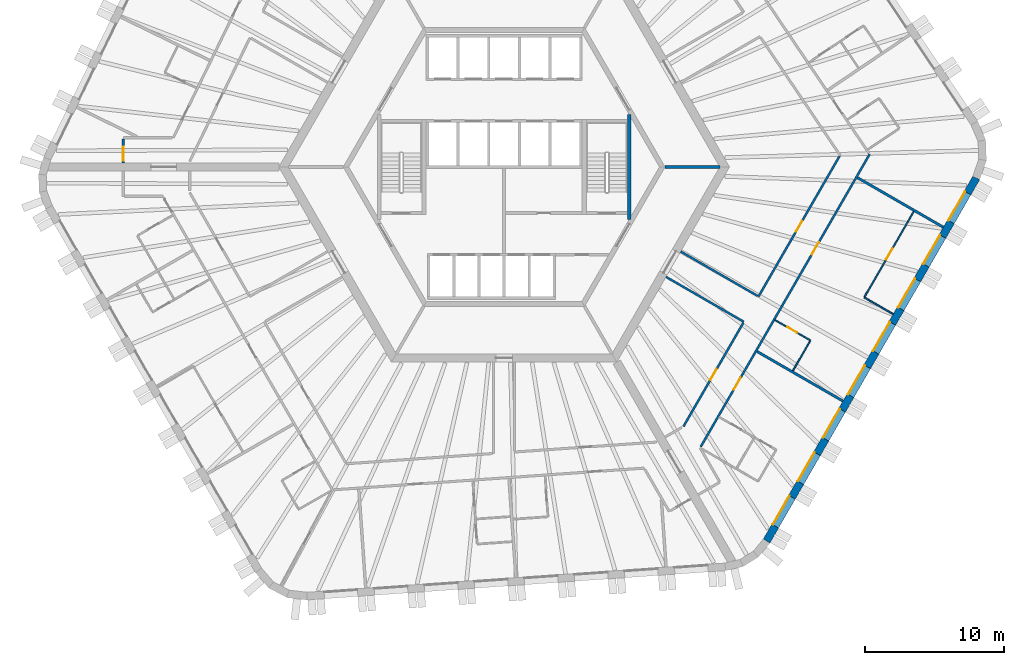
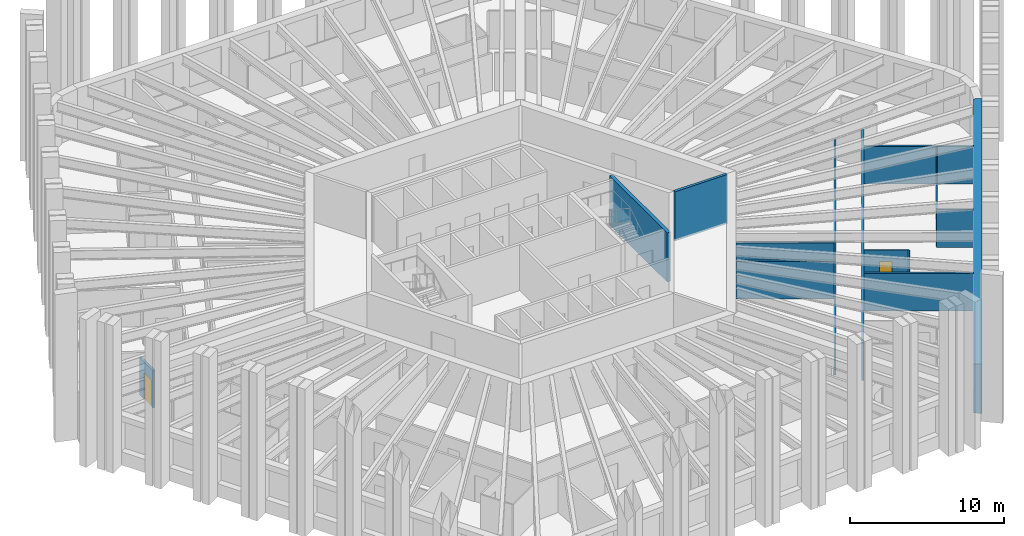
# One storey, part 6 of 12: 15 walls, 8 windows, 7 doors, 15 openings.
"""IFC4 building model written with IfcOpenShell, lengths in metres."""

from ifc_helpers import new_model, si_unit, direction, frame, frame_2d, origin, place, context, subcontext, project, spatial, polyline, rectangle, outline, extrude, material, layer, layer_set, type_object, element, fill, save


model = new_model("IFC4")

# Units and contexts
model_context = context("Model", 3, precision=1e-05, world=origin(), true_north=direction((0.0, 1.0)))
body_context = subcontext(model_context, "Body", "Model", "MODEL_VIEW")
ifc_project = project(units=[si_unit("LENGTHUNIT", "METRE"), si_unit("AREAUNIT", "SQUARE_METRE"), si_unit("VOLUMEUNIT", "CUBIC_METRE"), si_unit("PLANEANGLEUNIT", "RADIAN"), si_unit("MASSUNIT", "GRAM", prefix="KILO")], contexts=[model_context])

# Site, building, storey
site_placement = place(None, origin())
site = spatial("IfcSite", under=ifc_project, at=site_placement, CompositionType="ELEMENT")
building_placement = place(site_placement, origin())
building = spatial("IfcBuilding", under=site, at=building_placement, Name="Tarnside Tower", CompositionType="ELEMENT")
storey_placement = place(building_placement, frame((0.0, 0.0, 99.89990234375)))
storey = spatial("IfcBuildingStorey", under=building, at=storey_placement, Name="L22", CompositionType="ELEMENT", Elevation=99.89990234375)

# Wall, opening, door
ifc_material_1 = material(Name="Gypsum board partition on steel studs", Category="steel")
ifc_layer_1 = layer(ifc_material_1, 0.10009765625)
ifc_layer_set_1 = layer_set([ifc_layer_1], Name="Bathroom wall 100")
wall_type_1 = type_object("IfcWallType", Name="Bathroom wall 100", PredefinedType="PARTITIONING", material=ifc_layer_set_1)
wall_1_placement = place(storey_placement, frame((19.439453125, -10.979736328125, 0.0), z_axis=(0.0, 0.0, 1.0), x_axis=(0.866046596414, -0.499963291492, 0.0)))
wall_1 = element("IfcWall", 1, at=wall_1_placement, inside=storey, type_object=wall_type_1, Name="Bathroom wall 07139", PredefinedType="PARTITIONING", context=body_context, shape_type="SweptSolid", body=[
    extrude(rectangle(XDim=2.925048828125, YDim=0.10009765625, at=frame_2d((1.46240234375, 0.0))), origin(), (0.0, 0.0, 1.0), 2.98779296875),
])
opening_1_placement = place(wall_1_placement, frame((1.02490234375, 0.0, 0.0)))
opening_1 = element("IfcOpeningElement", 2, at=opening_1_placement, cuts=wall_1, Name="Opening D-B1", PredefinedType="OPENING", context=body_context, shape_type="SweptSolid", body=[
    extrude(rectangle(XDim=0.800048828125, YDim=2.10009765625, at=frame_2d((0.39990234375, 1.050048828125))), frame((0.0, 0.06005859375, 0.0), z_axis=(0.0, -1.0, 0.0), x_axis=(1.0, 0.0, 0.0)), (0.0, 0.0, 1.0), 0.1201171875),
])
ifc_material_2 = material(Name="Timber door leaf", Category="wood")
door_type_1 = type_object("IfcDoorType", Name="Bathroom door 800", OperationType="NOTDEFINED", PredefinedType="DOOR", material=ifc_material_2)
door_1_placement = place(opening_1_placement, origin())
door_1 = element("IfcDoor", 3, at=door_1_placement, inside=storey, type_object=door_type_1, Name="Bathroom door 07033", OperationType="SINGLE_SWING_RIGHT", OverallHeight=2.10009765625, OverallWidth=0.800048828125, PredefinedType="DOOR", context=body_context, shape_type="SweptSolid", body=[
    extrude(rectangle(XDim=0.800048828125, YDim=2.10009765625, at=frame_2d((0.39990234375, 1.050048828125))), frame((0.0, 0.02490234375, 0.0), z_axis=(0.0, -1.0, 0.0), x_axis=(1.0, 0.0, 0.0)), (0.0, 0.0, 1.0), 0.050048828125),
])
fill(opening_1, door_1)

# Wall
wall_2_placement = place(storey_placement, frame((21.94775390625, -12.485595703125, 0.0), z_axis=(0.0, 0.0, 1.0), x_axis=(-0.500003092839, -0.866023618125, 0.0)))
element("IfcWall", 4, at=wall_2_placement, inside=storey, type_object=wall_type_1, Name="Bathroom wall 07140", PredefinedType="PARTITIONING", context=body_context, shape_type="SweptSolid", body=[
    extrude(rectangle(XDim=2.4599609375, YDim=0.10009765625, at=frame_2d((1.22998046875, 0.0))), origin(), (0.0, 0.0, 1.0), 2.98779296875),
])

# Wall, opening, door
ifc_layer_2 = layer(ifc_material_1, 0.14990234375)
ifc_layer_set_2 = layer_set([ifc_layer_2], Name="Corridor wall 150 EI 60")
wall_type_2 = type_object("IfcWallType", Name="Corridor wall 150 EI 60", PredefinedType="PARTITIONING", material=ifc_layer_set_2)
wall_3_placement = place(storey_placement, frame((-27.3203125, 2.02490234375, 0.0), z_axis=(0.0, 0.0, 1.0), x_axis=(0.0, -1.0, 0.0)))
wall_3 = element("IfcWall", 5, at=wall_3_placement, inside=storey, type_object=wall_type_2, Name="Corridor wall 07017", PredefinedType="PARTITIONING", context=body_context, shape_type="SweptSolid", body=[
    extrude(rectangle(XDim=1.724853515625, YDim=0.14990234375, at=frame_2d((0.8623046875, 0.0))), origin(), (0.0, 0.0, 1.0), 2.98779296875),
])
opening_2_placement = place(wall_3_placement, frame((0.574951171875, 0.0, 0.0)))
opening_2 = element("IfcOpeningElement", 6, at=opening_2_placement, cuts=wall_3, Name="Opening D-E1", PredefinedType="OPENING", context=body_context, shape_type="SweptSolid", body=[
    extrude(rectangle(XDim=1.0, YDim=2.10009765625, at=frame_2d((0.5, 1.050048828125))), frame((0.0, 0.0849609375, 0.0), z_axis=(0.0, -1.0, 0.0), x_axis=(1.0, 0.0, 0.0)), (0.0, 0.0, 1.0), 0.169921875),
])
door_type_2 = type_object("IfcDoorType", Name="Unit entrance door 1000 FD30S", OperationType="NOTDEFINED", PredefinedType="DOOR", material=ifc_material_2)
door_2_placement = place(opening_2_placement, origin())
door_2 = element("IfcDoor", 7, at=door_2_placement, inside=storey, type_object=door_type_2, Name="Unit door 07013", OperationType="SINGLE_SWING_LEFT", OverallHeight=2.10009765625, OverallWidth=1.0, PredefinedType="DOOR", context=body_context, shape_type="SweptSolid", body=[
    extrude(rectangle(XDim=1.0, YDim=2.10009765625, at=frame_2d((0.5, 1.050048828125))), frame((0.0, 0.02490234375, 0.0), z_axis=(0.0, -1.0, 0.0), x_axis=(1.0, 0.0, 0.0)), (0.0, 0.0, 1.0), 0.050048828125),
])
fill(opening_2, door_2)

# Wall, openings, doors
wall_4_placement = place(storey_placement, frame((14.101806640625, -20.074951171875, 0.0), z_axis=(0.0, 0.0, 1.0), x_axis=(0.499996816197, 0.866027241946, 0.0)))
wall_4 = element("IfcWall", 8, at=wall_4_placement, inside=storey, type_object=wall_type_2, Name="Corridor wall 07054", PredefinedType="PARTITIONING", context=body_context, shape_type="SweptSolid", body=[
    extrude(rectangle(XDim=24.238037109375, YDim=0.14990234375, at=frame_2d((12.119140625, 0.0))), origin(), (0.0, 0.0, 1.0), 2.98779296875),
])
opening_3_placement = place(wall_4_placement, frame((4.7294921875, 0.0, 0.0)))
opening_3 = element("IfcOpeningElement", 9, at=opening_3_placement, cuts=wall_4, Name="Opening D-E1", PredefinedType="OPENING", context=body_context, shape_type="SweptSolid", body=[
    extrude(rectangle(XDim=1.0, YDim=2.10009765625, at=frame_2d((0.5, 1.050048828125))), frame((0.0, 0.0849609375, 0.0), z_axis=(0.0, -1.0, 0.0), x_axis=(1.0, 0.0, 0.0)), (0.0, 0.0, 1.0), 0.169921875),
])
opening_4_placement = place(wall_4_placement, frame((15.945556640625, 0.0, 0.0)))
opening_4 = element("IfcOpeningElement", 10, at=opening_4_placement, cuts=wall_4, Name="Opening D-E1", PredefinedType="OPENING", context=body_context, shape_type="SweptSolid", body=[
    extrude(rectangle(XDim=1.0, YDim=2.10009765625, at=frame_2d((0.5, 1.050048828125))), frame((0.0, 0.0849609375, 0.0), z_axis=(0.0, -1.0, 0.0), x_axis=(1.0, 0.0, 0.0)), (0.0, 0.0, 1.0), 0.169921875),
])
door_3_placement = place(opening_3_placement, origin())
door_3 = element("IfcDoor", 11, at=door_3_placement, inside=storey, type_object=door_type_2, Name="Unit door 07029", OperationType="SINGLE_SWING_LEFT", OverallHeight=2.10009765625, OverallWidth=1.0, PredefinedType="DOOR", context=body_context, shape_type="SweptSolid", body=[
    extrude(rectangle(XDim=1.0, YDim=2.10009765625, at=frame_2d((0.5, 1.050048828125))), frame((0.0, 0.02490234375, 0.0), z_axis=(0.0, -1.0, 0.0), x_axis=(1.0, 0.0, 0.0)), (0.0, 0.0, 1.0), 0.050048828125),
])
fill(opening_3, door_3)
door_4_placement = place(opening_4_placement, origin())
door_4 = element("IfcDoor", 12, at=door_4_placement, inside=storey, type_object=door_type_2, Name="Unit door 07032", OperationType="SINGLE_SWING_LEFT", OverallHeight=2.10009765625, OverallWidth=1.0, PredefinedType="DOOR", context=body_context, shape_type="SweptSolid", body=[
    extrude(rectangle(XDim=1.0, YDim=2.10009765625, at=frame_2d((0.5, 1.050048828125))), frame((0.0, 0.02490234375, 0.0), z_axis=(0.0, -1.0, 0.0), x_axis=(1.0, 0.0, 0.0)), (0.0, 0.0, 1.0), 0.050048828125),
])
fill(opening_4, door_4)

# Wall, opening, door
wall_5_placement = place(storey_placement, frame((24.057861328125, 0.769287109375, 0.0), z_axis=(0.0, 0.0, 1.0), x_axis=(-0.499995346943, -0.866028090212, 0.0)))
wall_5 = element("IfcWall", 13, at=wall_5_placement, inside=storey, type_object=wall_type_2, Name="Corridor wall 07069", PredefinedType="PARTITIONING", context=body_context, shape_type="SweptSolid", body=[
    extrude(rectangle(XDim=11.6162109375, YDim=0.14990234375, at=frame_2d((5.80810546875, 0.0))), origin(), (0.0, 0.0, 1.0), 2.98779296875),
])
opening_5_placement = place(wall_5_placement, frame((5.358154296875, 0.0, 0.0)))
opening_5 = element("IfcOpeningElement", 14, at=opening_5_placement, cuts=wall_5, Name="Opening D-S1", PredefinedType="OPENING", context=body_context, shape_type="SweptSolid", body=[
    extrude(rectangle(XDim=0.89990234375, YDim=2.10009765625, at=frame_2d((0.449951171875, 1.050048828125))), frame((0.0, 0.0849609375, 0.0), z_axis=(0.0, -1.0, 0.0), x_axis=(1.0, 0.0, 0.0)), (0.0, 0.0, 1.0), 0.169921875),
])
door_type_3 = type_object("IfcDoorType", Name="Service room door 900 FD30S", OperationType="NOTDEFINED", PredefinedType="DOOR", material=ifc_material_2)
door_5_placement = place(opening_5_placement, origin())
door_5 = element("IfcDoor", 15, at=door_5_placement, inside=storey, type_object=door_type_3, Name="Service door 07048", OperationType="SINGLE_SWING_LEFT", OverallHeight=2.10009765625, OverallWidth=0.89990234375, PredefinedType="DOOR", context=body_context, shape_type="SweptSolid", body=[
    extrude(rectangle(XDim=0.89990234375, YDim=2.10009765625, at=frame_2d((0.449951171875, 1.050048828125))), frame((0.0, 0.02490234375, 0.0), z_axis=(0.0, -1.0, 0.0), x_axis=(1.0, 0.0, 0.0)), (0.0, 0.0, 1.0), 0.050048828125),
])
fill(opening_5, door_5)

# Walls
wall_6_placement = place(storey_placement, frame((18.184814453125, -9.253173828125, 0.0), z_axis=(0.0, 0.0, 1.0), x_axis=(-0.866028703517, 0.499994284652, 0.0)))
element("IfcWall", 16, at=wall_6_placement, inside=storey, type_object=wall_type_2, Name="Corridor wall 07070", PredefinedType="PARTITIONING", context=body_context, shape_type="SweptSolid", body=[
    extrude(rectangle(XDim=6.375, YDim=0.14990234375, at=frame_2d((3.1875, 0.0))), origin(), (0.0, 0.0, 1.0), 2.98779296875),
])
wall_7_placement = place(storey_placement, frame((11.61376953125, -7.88427734375, 0.0), z_axis=(0.0, 0.0, 1.0), x_axis=(0.866021702275, -0.500006411147, 0.0)))
element("IfcWall", 17, at=wall_7_placement, inside=storey, type_object=wall_type_2, Name="Corridor wall 07071", PredefinedType="PARTITIONING", context=body_context, shape_type="SweptSolid", body=[
    extrude(rectangle(XDim=6.4501953125, YDim=0.14990234375, at=frame_2d((3.22509765625, 0.0))), origin(), (0.0, 0.0, 1.0), 2.98779296875),
])

# Wall, opening, door
wall_8_placement = place(storey_placement, frame((17.162109375, -11.17431640625, 0.0), z_axis=(0.0, 0.0, 1.0), x_axis=(-0.499997214665, -0.866027011893, 0.0)))
wall_8 = element("IfcWall", 18, at=wall_8_placement, inside=storey, type_object=wall_type_2, Name="Corridor wall 07072", PredefinedType="PARTITIONING", context=body_context, shape_type="SweptSolid", body=[
    extrude(rectangle(XDim=8.5888671875, YDim=0.14990234375, at=frame_2d((4.29443359375, 0.0))), origin(), (0.0, 0.0, 1.0), 2.98779296875),
])
opening_6_placement = place(wall_8_placement, frame((3.844482421875, 0.0, 0.0)))
opening_6 = element("IfcOpeningElement", 19, at=opening_6_placement, cuts=wall_8, Name="Opening D-S1", PredefinedType="OPENING", context=body_context, shape_type="SweptSolid", body=[
    extrude(rectangle(XDim=0.89990234375, YDim=2.10009765625, at=frame_2d((0.449951171875, 1.050048828125))), frame((0.0, 0.0849609375, 0.0), z_axis=(0.0, -1.0, 0.0), x_axis=(1.0, 0.0, 0.0)), (0.0, 0.0, 1.0), 0.169921875),
])
door_6_placement = place(opening_6_placement, origin())
door_6 = element("IfcDoor", 20, at=door_6_placement, inside=storey, type_object=door_type_3, Name="Service door 07049", OperationType="SINGLE_SWING_LEFT", OverallHeight=2.10009765625, OverallWidth=0.89990234375, PredefinedType="DOOR", context=body_context, shape_type="SweptSolid", body=[
    extrude(rectangle(XDim=0.89990234375, YDim=2.10009765625, at=frame_2d((0.449951171875, 1.050048828125))), frame((0.0, 0.02490234375, 0.0), z_axis=(0.0, -1.0, 0.0), x_axis=(1.0, 0.0, 0.0)), (0.0, 0.0, 1.0), 0.050048828125),
])
fill(opening_6, door_6)

# Walls
ifc_layer_3 = layer(ifc_material_1, 0.179931640625)
ifc_layer_set_3 = layer_set([ifc_layer_3], Name="Demising wall 180 EI 60")
wall_type_3 = type_object("IfcWallType", Name="Demising wall 180 EI 60", PredefinedType="PARTITIONING", material=ifc_layer_set_3)
for number, where, z_axis, x_axis, name in (
    (21, (24.31005859375, -16.7939453125, 0.0), (0.0, 0.0, 1.0), (-0.866024672353, 0.500001266874, 0.0), "Demising wall 07136"),
    (22, (31.510009765625, -4.3232421875, 0.0), (0.0, 0.0, 1.0), (-0.866009834831, 0.500026965249, 0.0), "Demising wall 07143"),
):
    element("IfcWall", number, at=place(storey_placement, frame(where, z_axis=z_axis, x_axis=x_axis)), inside=storey, type_object=wall_type_3, Name=name, PredefinedType="PARTITIONING", context=body_context, shape_type="SweptSolid", body=[
        extrude(rectangle(XDim=7.125, YDim=0.179931640625, at=frame_2d((3.5625, 0.0))), origin(), (0.0, 0.0, 1.0), 2.98779296875),
    ])
ifc_material_3 = material(Name="Concrete C40/50", Category="concrete")
ifc_layer_4 = layer(ifc_material_3, 0.199951171875)
ifc_layer_set_4 = layer_set([ifc_layer_4], Name="Lift shaft wall 200 C40/50")
wall_type_4 = type_object("IfcWallType", Name="Lift shaft wall 200 C40/50", PredefinedType="SHEAR", material=ifc_layer_set_4)
wall_9_placement = place(storey_placement, frame((11.547119140625, 0.0, -0.14990234375), z_axis=(0.0, 0.0, 1.0), x_axis=(1.0, 0.0, 0.0)))
element("IfcWall", 23, at=wall_9_placement, inside=storey, type_object=wall_type_4, Name="L22 core partition AR0", PredefinedType="SHEAR", context=body_context, shape_type="SweptSolid", body=[
    extrude(rectangle(XDim=3.92578125, YDim=0.199951171875, at=frame_2d((1.962890625, 0.0))), origin(), (0.0, 0.0, 1.0), 3.89990234375),
])
ifc_layer_5 = layer(ifc_material_1, 0.10009765625)
ifc_layer_set_5 = layer_set([ifc_layer_5], Name="Partition 100")
wall_type_5 = type_object("IfcWallType", Name="Partition 100", PredefinedType="PARTITIONING", material=ifc_layer_set_5)
wall_10_placement = place(storey_placement, frame((27.909912109375, -10.55859375, 0.0), z_axis=(0.0, 0.0, 1.0), x_axis=(-0.865980596518, 0.500077600433, 0.0)))
element("IfcWall", 24, at=wall_10_placement, inside=storey, type_object=wall_type_5, Name="Partition wall 07141", PredefinedType="PARTITIONING", context=body_context, shape_type="SweptSolid", body=[
    extrude(rectangle(XDim=2.39990234375, YDim=0.10009765625, at=frame_2d((1.199951171875, 0.0))), origin(), (0.0, 0.0, 1.0), 2.98779296875),
])

# Wall, opening, door
wall_11_placement = place(storey_placement, frame((25.8564453125, -9.315185546875, 0.0), z_axis=(0.0, 0.0, 1.0), x_axis=(0.500010820671, 0.866019156377, 0.0)))
wall_11 = element("IfcWall", 25, at=wall_11_placement, inside=storey, type_object=wall_type_5, Name="Partition wall 07142", PredefinedType="PARTITIONING", context=body_context, shape_type="SweptSolid", body=[
    extrude(rectangle(XDim=7.059814453125, YDim=0.10009765625, at=frame_2d((3.52978515625, 0.0))), origin(), (0.0, 0.0, 1.0), 2.98779296875),
])
opening_7_placement = place(wall_11_placement, frame((3.10009765625, 0.0, 0.0)))
opening_7 = element("IfcOpeningElement", 26, at=opening_7_placement, cuts=wall_11, Name="Opening D-I1", PredefinedType="OPENING", context=body_context, shape_type="SweptSolid", body=[
    extrude(rectangle(XDim=0.89990234375, YDim=2.10009765625, at=frame_2d((0.449951171875, 1.050048828125))), frame((0.0, 0.06005859375, 0.0), z_axis=(0.0, -1.0, 0.0), x_axis=(1.0, 0.0, 0.0)), (0.0, 0.0, 1.0), 0.1201171875),
])
door_type_4 = type_object("IfcDoorType", Name="Internal door 900", OperationType="NOTDEFINED", PredefinedType="DOOR", material=ifc_material_2)
door_7_placement = place(opening_7_placement, origin())
door_7 = element("IfcDoor", 27, at=door_7_placement, inside=storey, type_object=door_type_4, Name="Internal door 07034", OperationType="SINGLE_SWING_RIGHT", OverallHeight=2.10009765625, OverallWidth=0.89990234375, PredefinedType="DOOR", context=body_context, shape_type="SweptSolid", body=[
    extrude(rectangle(XDim=0.89990234375, YDim=2.10009765625, at=frame_2d((0.449951171875, 1.050048828125))), frame((0.0, 0.02490234375, 0.0), z_axis=(0.0, -1.0, 0.0), x_axis=(1.0, 0.0, 0.0)), (0.0, 0.0, 1.0), 0.050048828125),
])
fill(opening_7, door_7)

# Wall
ifc_layer_6 = layer(ifc_material_3, 0.25)
ifc_layer_set_6 = layer_set([ifc_layer_6], Name="Stair enclosure wall 250 C40/50")
wall_type_6 = type_object("IfcWallType", Name="Stair enclosure wall 250 C40/50", PredefinedType="SHEAR", material=ifc_layer_set_6)
wall_12_placement = place(storey_placement, frame((8.97509765625, -3.7548828125, -0.25), z_axis=(0.0, 0.0, 1.0), x_axis=(0.0, 1.0, 0.0)))
element("IfcWall", 28, at=wall_12_placement, inside=storey, type_object=wall_type_6, Name="L22 stair 1 enclosure wall outer", PredefinedType="SHEAR", context=body_context, shape_type="SweptSolid", body=[
    extrude(rectangle(XDim=7.509765625, YDim=0.25, at=frame_2d((3.7548828125, 0.0))), origin(), (0.0, 0.0, 1.0), 3.900146484375),
])

# Wall, openings, windows
ifc_material_4 = material(Name="Facing brick", Category="masonry")
ifc_layer_7 = layer(ifc_material_4, 0.10205078125)
ifc_material_5 = material(Name="Concrete C60/75 precast", Category="concrete")
ifc_layer_8 = layer(ifc_material_5, 0.347900390625)
ifc_material_6 = material(Name="Mineral wool insulation")
ifc_layer_9 = layer(ifc_material_6, 0.10009765625)
ifc_layer_set_7 = layer_set([ifc_layer_7, ifc_layer_8, ifc_layer_9], Name="Tube wall 550 brick faced")
wall_type_7 = type_object("IfcWallType", Name="Tube wall 550 brick faced", PredefinedType="SOLIDWALL", material=ifc_layer_set_7)
wall_13_placement = place(storey_placement, frame((18.830322265625, -26.834716796875, -0.14990234375), z_axis=(0.0, 0.0, 1.0), x_axis=(0.500003800416, 0.866023209602, 0.0)))
wall_13 = element("IfcWall", 29, at=wall_13_placement, inside=storey, type_object=wall_type_7, Name="Tube wall L22 F5 flush 16", PredefinedType="SOLIDWALL", context=body_context, shape_type="SweptSolid", body=[
    extrude(outline(polyline([(-0.0224609375, -0.27490234375), (30.0966796875, -0.27490234375), (30.04541015625, 0.27490234375), (0.0224609375, 0.27490234375), (-0.0224609375, -0.27490234375)])), origin(), (0.0, 0.0, 1.0), 3.89990234375),
])
opening_8_placement = place(wall_13_placement, frame((1.235595703125, 0.0, 1.050048828125)))
opening_8 = element("IfcOpeningElement", 30, at=opening_8_placement, cuts=wall_13, Name="Opening WH", PredefinedType="OPENING", context=body_context, shape_type="SweptSolid", body=[
    extrude(rectangle(XDim=2.39990234375, YDim=2.39990234375, at=frame_2d((1.199951171875, 1.199951171875))), frame((0.0, 0.28515625, 0.0), z_axis=(0.0, -1.0, 0.0), x_axis=(1.0, 0.0, 0.0)), (0.0, 0.0, 1.0), 0.570068359375),
])
opening_9_placement = place(wall_13_placement, frame((4.83544921875, 0.0, 1.050048828125)))
opening_9 = element("IfcOpeningElement", 31, at=opening_9_placement, cuts=wall_13, Name="Opening WH", PredefinedType="OPENING", context=body_context, shape_type="SweptSolid", body=[
    extrude(rectangle(XDim=2.39990234375, YDim=2.39990234375, at=frame_2d((1.199951171875, 1.199951171875))), frame((0.0, 0.28515625, 0.0), z_axis=(0.0, -1.0, 0.0), x_axis=(1.0, 0.0, 0.0)), (0.0, 0.0, 1.0), 0.570068359375),
])
opening_10_placement = place(wall_13_placement, frame((8.435546875, 0.0, 1.050048828125)))
opening_10 = element("IfcOpeningElement", 32, at=opening_10_placement, cuts=wall_13, Name="Opening WH", PredefinedType="OPENING", context=body_context, shape_type="SweptSolid", body=[
    extrude(rectangle(XDim=2.39990234375, YDim=2.39990234375, at=frame_2d((1.199951171875, 1.199951171875))), frame((0.0, 0.28515625, 0.0), z_axis=(0.0, -1.0, 0.0), x_axis=(1.0, 0.0, 0.0)), (0.0, 0.0, 1.0), 0.570068359375),
])
opening_11_placement = place(wall_13_placement, frame((12.035400390625, 0.0, 1.050048828125)))
opening_11 = element("IfcOpeningElement", 33, at=opening_11_placement, cuts=wall_13, Name="Opening WH", PredefinedType="OPENING", context=body_context, shape_type="SweptSolid", body=[
    extrude(rectangle(XDim=2.39990234375, YDim=2.39990234375, at=frame_2d((1.199951171875, 1.199951171875))), frame((0.0, 0.28515625, 0.0), z_axis=(0.0, -1.0, 0.0), x_axis=(1.0, 0.0, 0.0)), (0.0, 0.0, 1.0), 0.570068359375),
])
opening_12_placement = place(wall_13_placement, frame((15.635498046875, 0.0, 1.050048828125)))
opening_12 = element("IfcOpeningElement", 34, at=opening_12_placement, cuts=wall_13, Name="Opening WH", PredefinedType="OPENING", context=body_context, shape_type="SweptSolid", body=[
    extrude(rectangle(XDim=2.39990234375, YDim=2.39990234375, at=frame_2d((1.199951171875, 1.199951171875))), frame((0.0, 0.28515625, 0.0), z_axis=(0.0, -1.0, 0.0), x_axis=(1.0, 0.0, 0.0)), (0.0, 0.0, 1.0), 0.570068359375),
])
opening_13_placement = place(wall_13_placement, frame((19.235595703125, 0.0, 1.050048828125)))
opening_13 = element("IfcOpeningElement", 35, at=opening_13_placement, cuts=wall_13, Name="Opening WH", PredefinedType="OPENING", context=body_context, shape_type="SweptSolid", body=[
    extrude(rectangle(XDim=2.39990234375, YDim=2.39990234375, at=frame_2d((1.199951171875, 1.199951171875))), frame((0.0, 0.28515625, 0.0), z_axis=(0.0, -1.0, 0.0), x_axis=(1.0, 0.0, 0.0)), (0.0, 0.0, 1.0), 0.570068359375),
])
opening_14_placement = place(wall_13_placement, frame((22.83544921875, 0.0, 1.050048828125)))
opening_14 = element("IfcOpeningElement", 36, at=opening_14_placement, cuts=wall_13, Name="Opening WH", PredefinedType="OPENING", context=body_context, shape_type="SweptSolid", body=[
    extrude(rectangle(XDim=2.39990234375, YDim=2.39990234375, at=frame_2d((1.199951171875, 1.199951171875))), frame((0.0, 0.28515625, 0.0), z_axis=(0.0, -1.0, 0.0), x_axis=(1.0, 0.0, 0.0)), (0.0, 0.0, 1.0), 0.570068359375),
])
opening_15_placement = place(wall_13_placement, frame((26.435546875, 0.0, 1.050048828125)))
opening_15 = element("IfcOpeningElement", 37, at=opening_15_placement, cuts=wall_13, Name="Opening WH", PredefinedType="OPENING", context=body_context, shape_type="SweptSolid", body=[
    extrude(rectangle(XDim=2.39990234375, YDim=2.39990234375, at=frame_2d((1.199951171875, 1.199951171875))), frame((0.0, 0.28515625, 0.0), z_axis=(0.0, -1.0, 0.0), x_axis=(1.0, 0.0, 0.0)), (0.0, 0.0, 1.0), 0.570068359375),
])
ifc_material_7 = material(Name="Aluminium-framed double glazing", Category="aluminium")
window_type = type_object("IfcWindowType", Name="Hotel window 2400 x 2400", PartitioningType="DOUBLE_PANEL_VERTICAL", PredefinedType="WINDOW", material=ifc_material_7)
window_1_placement = place(opening_8_placement, frame((0.0, 0.205078125, 0.0)))
window_1 = element("IfcWindow", 38, at=window_1_placement, inside=storey, type_object=window_type, Name="E.WN.L22.F5.00", OverallHeight=2.39990234375, OverallWidth=2.39990234375, PartitioningType="DOUBLE_PANEL_VERTICAL", PredefinedType="WINDOW", context=body_context, shape_type="SweptSolid", body=[
    extrude(rectangle(XDim=2.39990234375, YDim=2.39990234375, at=frame_2d((1.199951171875, 1.199951171875))), frame((0.0, 0.030029296875, 0.0), z_axis=(0.0, -1.0, 0.0), x_axis=(1.0, 0.0, 0.0)), (0.0, 0.0, 1.0), 0.06005859375),
])
fill(opening_8, window_1)
window_2_placement = place(opening_9_placement, frame((0.0, 0.205078125, 0.0)))
window_2 = element("IfcWindow", 39, at=window_2_placement, inside=storey, type_object=window_type, Name="E.WN.L22.F5.01", OverallHeight=2.39990234375, OverallWidth=2.39990234375, PartitioningType="DOUBLE_PANEL_VERTICAL", PredefinedType="WINDOW", context=body_context, shape_type="SweptSolid", body=[
    extrude(rectangle(XDim=2.39990234375, YDim=2.39990234375, at=frame_2d((1.199951171875, 1.199951171875))), frame((0.0, 0.030029296875, 0.0), z_axis=(0.0, -1.0, 0.0), x_axis=(1.0, 0.0, 0.0)), (0.0, 0.0, 1.0), 0.06005859375),
])
fill(opening_9, window_2)
window_3_placement = place(opening_10_placement, frame((0.0, 0.205078125, 0.0)))
window_3 = element("IfcWindow", 40, at=window_3_placement, inside=storey, type_object=window_type, Name="E.WN.L22.F5.02", OverallHeight=2.39990234375, OverallWidth=2.39990234375, PartitioningType="DOUBLE_PANEL_VERTICAL", PredefinedType="WINDOW", context=body_context, shape_type="SweptSolid", body=[
    extrude(rectangle(XDim=2.39990234375, YDim=2.39990234375, at=frame_2d((1.199951171875, 1.199951171875))), frame((0.0, 0.030029296875, 0.0), z_axis=(0.0, -1.0, 0.0), x_axis=(1.0, 0.0, 0.0)), (0.0, 0.0, 1.0), 0.06005859375),
])
fill(opening_10, window_3)
window_4_placement = place(opening_11_placement, frame((0.0, 0.205078125, 0.0)))
window_4 = element("IfcWindow", 41, at=window_4_placement, inside=storey, type_object=window_type, Name="E.WN.L22.F5.03", OverallHeight=2.39990234375, OverallWidth=2.39990234375, PartitioningType="DOUBLE_PANEL_VERTICAL", PredefinedType="WINDOW", context=body_context, shape_type="SweptSolid", body=[
    extrude(rectangle(XDim=2.39990234375, YDim=2.39990234375, at=frame_2d((1.199951171875, 1.199951171875))), frame((0.0, 0.030029296875, 0.0), z_axis=(0.0, -1.0, 0.0), x_axis=(1.0, 0.0, 0.0)), (0.0, 0.0, 1.0), 0.06005859375),
])
fill(opening_11, window_4)
window_5_placement = place(opening_12_placement, frame((0.0, 0.205078125, 0.0)))
window_5 = element("IfcWindow", 42, at=window_5_placement, inside=storey, type_object=window_type, Name="E.WN.L22.F5.04", OverallHeight=2.39990234375, OverallWidth=2.39990234375, PartitioningType="DOUBLE_PANEL_VERTICAL", PredefinedType="WINDOW", context=body_context, shape_type="SweptSolid", body=[
    extrude(rectangle(XDim=2.39990234375, YDim=2.39990234375, at=frame_2d((1.199951171875, 1.199951171875))), frame((0.0, 0.030029296875, 0.0), z_axis=(0.0, -1.0, 0.0), x_axis=(1.0, 0.0, 0.0)), (0.0, 0.0, 1.0), 0.06005859375),
])
fill(opening_12, window_5)
window_6_placement = place(opening_13_placement, frame((0.0, 0.205078125, 0.0)))
window_6 = element("IfcWindow", 43, at=window_6_placement, inside=storey, type_object=window_type, Name="E.WN.L22.F5.05", OverallHeight=2.39990234375, OverallWidth=2.39990234375, PartitioningType="DOUBLE_PANEL_VERTICAL", PredefinedType="WINDOW", context=body_context, shape_type="SweptSolid", body=[
    extrude(rectangle(XDim=2.39990234375, YDim=2.39990234375, at=frame_2d((1.199951171875, 1.199951171875))), frame((0.0, 0.030029296875, 0.0), z_axis=(0.0, -1.0, 0.0), x_axis=(1.0, 0.0, 0.0)), (0.0, 0.0, 1.0), 0.06005859375),
])
fill(opening_13, window_6)
window_7_placement = place(opening_14_placement, frame((0.0, 0.205078125, 0.0)))
window_7 = element("IfcWindow", 44, at=window_7_placement, inside=storey, type_object=window_type, Name="E.WN.L22.F5.06", OverallHeight=2.39990234375, OverallWidth=2.39990234375, PartitioningType="DOUBLE_PANEL_VERTICAL", PredefinedType="WINDOW", context=body_context, shape_type="SweptSolid", body=[
    extrude(rectangle(XDim=2.39990234375, YDim=2.39990234375, at=frame_2d((1.199951171875, 1.199951171875))), frame((0.0, 0.030029296875, 0.0), z_axis=(0.0, -1.0, 0.0), x_axis=(1.0, 0.0, 0.0)), (0.0, 0.0, 1.0), 0.06005859375),
])
fill(opening_14, window_7)
window_8_placement = place(opening_15_placement, frame((0.0, 0.205078125, 0.0)))
window_8 = element("IfcWindow", 45, at=window_8_placement, inside=storey, type_object=window_type, Name="E.WN.L22.F5.07", OverallHeight=2.39990234375, OverallWidth=2.39990234375, PartitioningType="DOUBLE_PANEL_VERTICAL", PredefinedType="WINDOW", context=body_context, shape_type="SweptSolid", body=[
    extrude(rectangle(XDim=2.39990234375, YDim=2.39990234375, at=frame_2d((1.199951171875, 1.199951171875))), frame((0.0, 0.030029296875, 0.0), z_axis=(0.0, -1.0, 0.0), x_axis=(1.0, 0.0, 0.0)), (0.0, 0.0, 1.0), 0.06005859375),
])
fill(opening_15, window_8)

save(model, "model.ifc")
